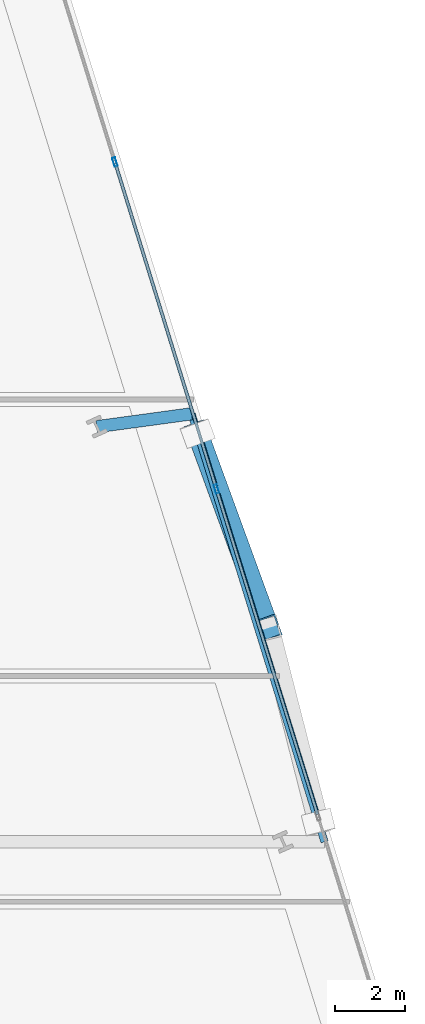
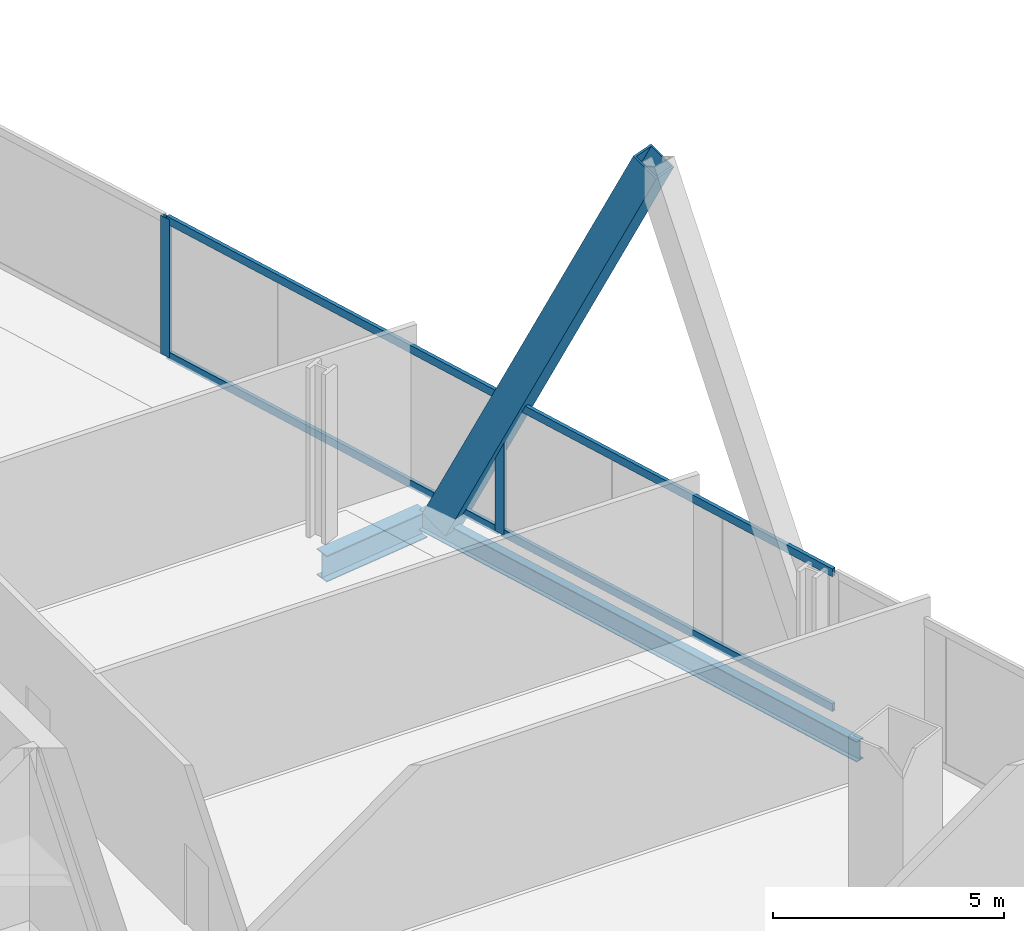
# One storey, part 13 of 26: 7 members, 2 beams, 1 element without a shape of its own.
"""IFC4 building model written with IfcOpenShell, lengths in metres."""

from ifc_helpers import new_model, si_unit, direction, frame, origin, origin_2d, place, context, subcontext, project, spatial, hollow_rectangle, i_section, extrude, material, material_profile, profile_set, type_object, element, aggregate, save


model = new_model("IFC4")

# Units and contexts
model_context = context("Model", 3, precision=1e-05, world=origin(), true_north=direction((0.0, 1.0)))
body_context = subcontext(model_context, "Body", "Model", "MODEL_VIEW")
ifc_project = project(units=[si_unit("LENGTHUNIT", "METRE"), si_unit("AREAUNIT", "SQUARE_METRE"), si_unit("VOLUMEUNIT", "CUBIC_METRE"), si_unit("PLANEANGLEUNIT", "RADIAN"), si_unit("MASSUNIT", "GRAM", prefix="KILO")], contexts=[model_context])

# Site, building, storey
site_placement = place(None, origin())
site = spatial("IfcSite", under=ifc_project, at=site_placement, CompositionType="ELEMENT")
building_placement = place(site_placement, origin())
building = spatial("IfcBuilding", under=site, at=building_placement, Name="Haldenkirk Collegiate Tower", CompositionType="ELEMENT")
storey_placement = place(building_placement, frame((0.0, 0.0, 85.949951171875)))
storey = spatial("IfcBuildingStorey", under=building, at=storey_placement, Name="L20", CompositionType="ELEMENT", Elevation=85.949951171875)

# Beams
ifc_material_1 = material(Name="Steel ASTM A992 Grade 50", Category="steel")
ifc_material_profile_1 = material_profile(ifc_material_1, i_section(OverallWidth=0.35498046875, OverallDepth=0.696044921875, WebThickness=0.015380859375, FlangeThickness=0.02490234375, at=origin_2d()), Name="W27X146")
ifc_profile_set_1 = profile_set([ifc_material_profile_1], Name="Steel ASTM A992 Grade 50")
beam_type_1 = type_object("IfcBeamType", Name="BM-GIRDER-W27X146", PredefinedType="BEAM", material=ifc_profile_set_1)
beam_1_placement = place(storey_placement, frame((57.255126953125, 35.667236328125, -0.758056640625), z_axis=(0.990878152841, 0.134760848255, 0.0), x_axis=(-0.134760848255, 0.990878152841, 0.0)))
element("IfcBeam", 1, at=beam_1_placement, inside=storey, type_object=beam_type_1, Name="L20 facade lookout girder 09", PredefinedType="BEAM", context=body_context, shape_type="SweptSolid", body=[
    extrude(i_section(OverallWidth=0.35498046875, OverallDepth=0.696044921875, WebThickness=0.015380859375, FlangeThickness=0.02490234375, at=origin_2d()), origin(), (0.0, 0.0, 1.0), 2.751953125),
])
ifc_material_profile_2 = material_profile(ifc_material_1, i_section(OverallWidth=0.2119140625, OverallDepth=0.5439453125, WebThickness=0.01318359375, FlangeThickness=0.021240234375, at=origin_2d()), Name="W21X83")
ifc_profile_set_2 = profile_set([ifc_material_profile_2], Name="Steel ASTM A992 Grade 50")
beam_type_2 = type_object("IfcBeamType", Name="BM-SPANDREL-W21X83", PredefinedType="SPANDREL", material=ifc_profile_set_2)
beam_2_placement = place(storey_placement, frame((63.8046875, 23.727294921875, -0.681884765625), z_axis=(-0.296552307549, 0.955016611838, 0.0), x_axis=(-0.955016611838, -0.296552307549, 0.0)))
element("IfcBeam", 2, at=beam_2_placement, inside=storey, type_object=beam_type_2, Name="L20 outer facade edge beam 2", PredefinedType="SPANDREL", context=body_context, shape_type="SweptSolid", body=[
    extrude(i_section(OverallWidth=0.2119140625, OverallDepth=0.5439453125, WebThickness=0.01318359375, FlangeThickness=0.021240234375, at=origin_2d()), origin(), (0.0, 0.0, 1.0), 12.890625),
])

# Curtain wall, members
ifc_material_2 = material(Name="Anodised architectural bronze aluminium", Category="aluminium")
curtain_wall_type = type_object("IfcCurtainWallType", Name="CW-SYS4-SKYGARDEN", PredefinedType="USERDEFINED", material=ifc_material_2)
curtain_wall_placement = place(storey_placement, origin())
curtain_wall = element("IfcCurtainWall", 3, at=curtain_wall_placement, inside=storey, type_object=curtain_wall_type, Name="L20 Sky-garden tall bronze curtain wall", ObjectType="UNITISED CURTAIN WALL", PredefinedType="USERDEFINED")
ifc_material_profile_3 = material_profile(ifc_material_2, hollow_rectangle(XDim=0.090087890625, YDim=0.260009765625, WallThickness=0.0048828125, at=origin_2d()), Name="CW-MUL-04")
ifc_profile_set_3 = profile_set([ifc_material_profile_3], Name="Anodised architectural bronze aluminium")
member_type_1 = type_object("IfcMemberType", Name="CW-MUL-04", PredefinedType="MULLION", material=ifc_profile_set_3)
member_1_placement = place(storey_placement, frame((57.77392578125, 43.2841796875, 0.0), z_axis=(0.0, 0.0, 1.0), x_axis=(0.955020249653, 0.296540592082, 0.0)))
member_1 = element("IfcMember", 4, at=member_1_placement, type_object=member_type_1, Name="CW-04 mullion 2", PredefinedType="MULLION", context=body_context, shape_type="SweptSolid", body=[
    extrude(hollow_rectangle(XDim=0.090087890625, YDim=0.260009765625, WallThickness=0.0048828125, at=origin_2d()), origin(), (0.0, 0.0, 1.0), 3.651123046875),
])
member_2_placement = place(storey_placement, frame((60.69482421875, 33.877197265625, 0.0), z_axis=(0.0, 0.0, 1.0), x_axis=(0.955020249653, 0.296540592082, 0.0)))
member_2 = element("IfcMember", 5, at=member_2_placement, type_object=member_type_1, Name="CW-04 mullion 3", PredefinedType="MULLION", context=body_context, shape_type="SweptSolid", body=[
    extrude(hollow_rectangle(XDim=0.090087890625, YDim=0.260009765625, WallThickness=0.0048828125, at=origin_2d()), origin(), (0.0, 0.0, 1.0), 3.651123046875),
])
ifc_material_profile_4 = material_profile(ifc_material_2, hollow_rectangle(XDim=0.090087890625, YDim=0.2099609375, WallThickness=0.0048828125, at=origin_2d()), Name="CW-TRN-04")
ifc_profile_set_4 = profile_set([ifc_material_profile_4], Name="Anodised architectural bronze aluminium")
member_type_2 = type_object("IfcMemberType", Name="CW-TRN-04", PredefinedType="USERDEFINED", material=ifc_profile_set_4)
member_3_placement = place(storey_placement, frame((57.787353515625, 43.2412109375, 0.045166015625), z_axis=(0.296521164631, -0.955026281799, 0.0), x_axis=(0.955026281799, 0.296521164631, 0.0)))
member_3 = element("IfcMember", 6, at=member_3_placement, type_object=member_type_2, Name="CW-04 transom 2.1", ObjectType="TRANSOM", PredefinedType="USERDEFINED", context=body_context, shape_type="SweptSolid", body=[
    extrude(hollow_rectangle(XDim=0.090087890625, YDim=0.2099609375, WallThickness=0.0048828125, at=origin_2d()), origin(), (0.0, 0.0, 1.0), 9.760009765625),
])
member_4_placement = place(storey_placement, frame((57.787353515625, 43.2412109375, 3.60595703125), z_axis=(0.296521164631, -0.955026281799, 0.0), x_axis=(0.955026281799, 0.296521164631, 0.0)))
member_4 = element("IfcMember", 7, at=member_4_placement, type_object=member_type_2, Name="CW-04 transom 2.2", ObjectType="TRANSOM", PredefinedType="USERDEFINED", context=body_context, shape_type="SweptSolid", body=[
    extrude(hollow_rectangle(XDim=0.090087890625, YDim=0.2099609375, WallThickness=0.0048828125, at=origin_2d()), origin(), (0.0, 0.0, 1.0), 9.760009765625),
])
member_5_placement = place(storey_placement, frame((60.708251953125, 33.834228515625, 0.045166015625), z_axis=(0.296551063754, -0.955016998061, 0.0), x_axis=(0.955016998061, 0.296551063754, 0.0)))
member_5 = element("IfcMember", 8, at=member_5_placement, type_object=member_type_2, Name="CW-04 transom 3.1", ObjectType="TRANSOM", PredefinedType="USERDEFINED", context=body_context, shape_type="SweptSolid", body=[
    extrude(hollow_rectangle(XDim=0.090087890625, YDim=0.2099609375, WallThickness=0.0048828125, at=origin_2d()), origin(), (0.0, 0.0, 1.0), 9.759765625),
])
member_6_placement = place(storey_placement, frame((60.708251953125, 33.834228515625, 3.60595703125), z_axis=(0.296551063754, -0.955016998061, 0.0), x_axis=(0.955016998061, 0.296551063754, 0.0)))
member_6 = element("IfcMember", 9, at=member_6_placement, type_object=member_type_2, Name="CW-04 transom 3.2", ObjectType="TRANSOM", PredefinedType="USERDEFINED", context=body_context, shape_type="SweptSolid", body=[
    extrude(hollow_rectangle(XDim=0.090087890625, YDim=0.2099609375, WallThickness=0.0048828125, at=origin_2d()), origin(), (0.0, 0.0, 1.0), 9.759765625),
])
aggregate(curtain_wall, [member_1, member_2, member_3, member_4, member_5, member_6])

# Member
ifc_material_3 = material(Name="Steel ASTM A572 Grade 50", Category="steel")
ifc_material_profile_5 = material_profile(ifc_material_3, hollow_rectangle(XDim=0.60009765625, YDim=0.719970703125, WallThickness=0.044921875, at=origin_2d()), Name="BOX720X600X45")
ifc_profile_set_5 = profile_set([ifc_material_profile_5], Name="Steel ASTM A572 Grade 50")
member_type_3 = type_object("IfcMemberType", Name="MBR-MEGABRACE-BOX720X600X45", PredefinedType="BRACE", material=ifc_profile_set_5)
member_7_placement = place(storey_placement, frame((60.159912109375, 35.465087890625, -0.419921875), z_axis=(0.151302471279, -0.414245249637, 0.897501217458), x_axis=(0.939306119526, 0.343080185703, 0.0)))
element("IfcMember", 10, at=member_7_placement, inside=storey, type_object=member_type_3, Name="Perimeter Mega Brace Z2 L20-L22 ER", PredefinedType="BRACE", context=body_context, shape_type="SweptSolid", body=[
    extrude(hollow_rectangle(XDim=0.60009765625, YDim=0.719970703125, WallThickness=0.044921875, at=origin_2d()), origin(), (0.0, 0.0, 1.0), 13.492919921875),
])

save(model, "model.ifc")
